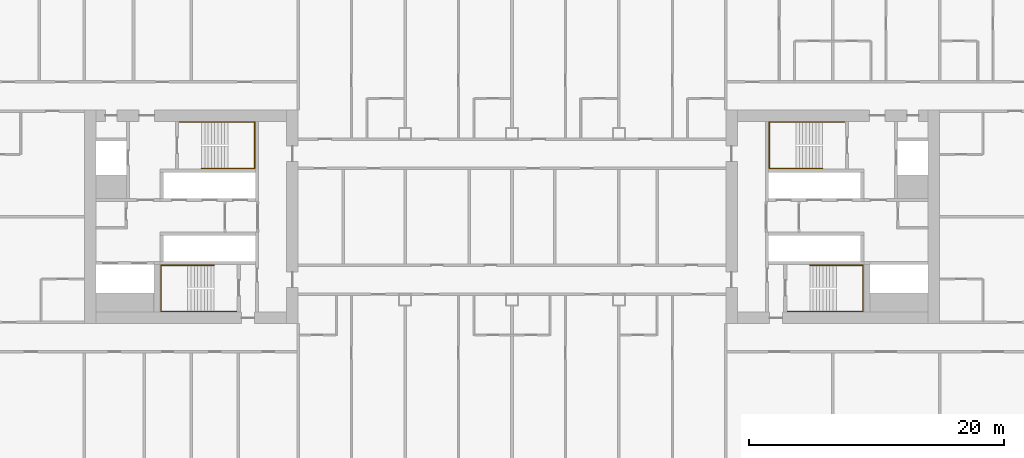
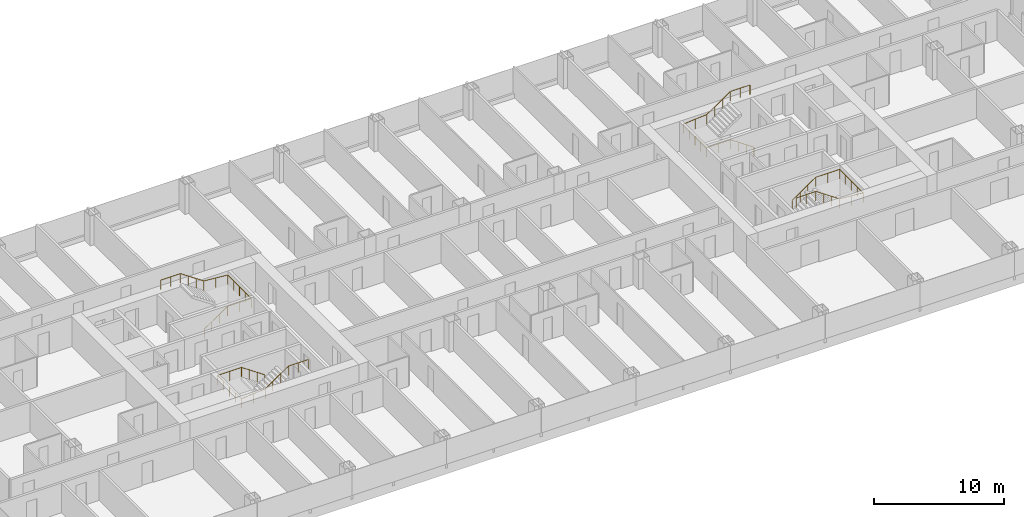
# One storey, part 28 of 28: 4 railings.
"""IFC4 building model written with IfcOpenShell, lengths in metres."""

from ifc_helpers import new_model, si_unit, direction, frame, origin, origin_2d, place, context, subcontext, project, spatial, circle, extrude, material, type_object, element, save


model = new_model("IFC4")

# Units and contexts
model_context = context("Model", 3, precision=1e-05, world=origin(), true_north=direction((0.0, 1.0)))
body_context = subcontext(model_context, "Body", "Model", "MODEL_VIEW")
ifc_project = project(units=[si_unit("LENGTHUNIT", "METRE"), si_unit("AREAUNIT", "SQUARE_METRE"), si_unit("VOLUMEUNIT", "CUBIC_METRE"), si_unit("PLANEANGLEUNIT", "RADIAN"), si_unit("MASSUNIT", "GRAM", prefix="KILO")], contexts=[model_context])

# Site, building, storey
site_placement = place(None, origin())
site = spatial("IfcSite", under=ifc_project, at=site_placement, CompositionType="ELEMENT")
building_placement = place(site_placement, origin())
building = spatial("IfcBuilding", under=site, at=building_placement, Name="Hakoniwa Tower and Hamabe Station Hall", CompositionType="ELEMENT")
storey_placement = place(building_placement, frame((0.0, 0.0, 48.60009765625)))
storey = spatial("IfcBuildingStorey", under=building, at=storey_placement, Name="L13", CompositionType="ELEMENT", Elevation=48.60009765625)

# Railings
ifc_material = material(Name="Stainless steel SUS304", Category="steel")
railing_type = type_object("IfcRailingType", Name="STAIR HANDRAIL 900", PredefinedType="HANDRAIL", material=ifc_material)
railing_1_placement = place(storey_placement, frame((-24.39990234375, 3.81005859375, 0.177734375)))
element("IfcRailing", 1, at=railing_1_placement, inside=storey, type_object=railing_type, Name="Handrail ST-1 L13 1", PredefinedType="HANDRAIL", context=body_context, shape_type="SweptSolid", body=[
    extrude(circle(Radius=0.02392578125, at=origin_2d()), frame((0.0, 0.0, 0.8759765625), z_axis=(0.825478349766, 0.0, 0.564433781827), x_axis=(0.0, 1.0, 0.0)), (0.0, 0.0, 1.0), 2.51953125),
    extrude(circle(Radius=0.02392578125, at=origin_2d()), frame((2.079833984375, 0.0, 2.2978515625), z_axis=(1.0, 0.0, 0.0), x_axis=(0.0, 1.0, 0.0)), (0.0, 0.0, 1.0), 2.110107421875),
    extrude(circle(Radius=0.02392578125, at=origin_2d()), frame((4.18994140625, 0.0, 2.2978515625), z_axis=(0.0, 1.0, 0.0), x_axis=(-1.0, 0.0, 0.0)), (0.0, 0.0, 1.0), 3.6298828125),
    extrude(circle(Radius=0.02392578125, at=origin_2d()), frame((4.18994140625, 3.6298828125, 2.2978515625), z_axis=(-0.996471417081, 0.0, 0.083932800143), x_axis=(0.0, -1.0, 0.0)), (0.0, 0.0, 1.0), 2.11767578125),
    extrude(circle(Radius=0.02392578125, at=origin_2d()), frame((2.079833984375, 3.6298828125, 2.4755859375), z_axis=(-0.825433201882, 0.0, 0.564499804456), x_axis=(0.0, -1.0, 0.0)), (0.0, 0.0, 1.0), 2.519775390625),
    extrude(circle(Radius=0.02392578125, at=origin_2d()), frame((0.0, 3.6298828125, 3.89794921875), z_axis=(-1.0, 0.0, 0.0), x_axis=(0.0, -1.0, 0.0)), (0.0, 0.0, 1.0), 1.739990234375),
    extrude(circle(Radius=0.02099609375, at=origin_2d()), origin(), (0.0, 0.0, 1.0), 0.851806640625),
    extrude(circle(Radius=0.02099609375, at=origin_2d()), frame((0.693359375, 0.0, 0.47412109375)), (0.0, 0.0, 1.0), 0.851806640625),
    extrude(circle(Radius=0.02099609375, at=origin_2d()), frame((1.386474609375, 0.0, 0.947998046875)), (0.0, 0.0, 1.0), 0.851806640625),
    extrude(circle(Radius=0.02099609375, at=origin_2d()), frame((2.079833984375, 0.0, 1.422119140625)), (0.0, 0.0, 1.0), 0.851806640625),
    extrude(circle(Radius=0.02099609375, at=origin_2d()), frame((3.134765625, 0.0, 1.422119140625)), (0.0, 0.0, 1.0), 0.851806640625),
    extrude(circle(Radius=0.02099609375, at=origin_2d()), frame((4.18994140625, 0.0, 1.422119140625)), (0.0, 0.0, 1.0), 0.851806640625),
    extrude(circle(Radius=0.02099609375, at=origin_2d()), frame((4.18994140625, 0.907470703125, 1.422119140625)), (0.0, 0.0, 1.0), 0.851806640625),
    extrude(circle(Radius=0.02099609375, at=origin_2d()), frame((4.18994140625, 1.81494140625, 1.422119140625)), (0.0, 0.0, 1.0), 0.851806640625),
    extrude(circle(Radius=0.02099609375, at=origin_2d()), frame((4.18994140625, 2.722412109375, 1.422119140625)), (0.0, 0.0, 1.0), 0.851806640625),
    extrude(circle(Radius=0.02099609375, at=origin_2d()), frame((4.18994140625, 3.6298828125, 1.422119140625)), (0.0, 0.0, 1.0), 0.851806640625),
    extrude(circle(Radius=0.02099609375, at=origin_2d()), frame((3.134765625, 3.6298828125, 1.510986328125)), (0.0, 0.0, 1.0), 0.851806640625),
    extrude(circle(Radius=0.02099609375, at=origin_2d()), frame((2.079833984375, 3.6298828125, 1.599853515625)), (0.0, 0.0, 1.0), 0.851806640625),
    extrude(circle(Radius=0.02099609375, at=origin_2d()), frame((1.386474609375, 3.6298828125, 2.073974609375)), (0.0, 0.0, 1.0), 0.851806640625),
    extrude(circle(Radius=0.02099609375, at=origin_2d()), frame((0.693359375, 3.6298828125, 2.548095703125)), (0.0, 0.0, 1.0), 0.851806640625),
    extrude(circle(Radius=0.02099609375, at=origin_2d()), frame((0.0, 3.6298828125, 3.022216796875)), (0.0, 0.0, 1.0), 0.851806640625),
    extrude(circle(Radius=0.02099609375, at=origin_2d()), frame((-0.8701171875, 3.6298828125, 3.022216796875)), (0.0, 0.0, 1.0), 0.851806640625),
    extrude(circle(Radius=0.02099609375, at=origin_2d()), frame((-1.739990234375, 3.6298828125, 3.022216796875)), (0.0, 0.0, 1.0), 0.851806640625),
])
railing_2_placement = place(storey_placement, frame((-23.39990234375, -3.81005859375, 0.177734375)))
element("IfcRailing", 2, at=railing_2_placement, inside=storey, type_object=railing_type, Name="Handrail ST-2 L13 1", PredefinedType="HANDRAIL", context=body_context, shape_type="SweptSolid", body=[
    extrude(circle(Radius=0.02392578125, at=origin_2d()), frame((0.0, 0.0, 0.8759765625), z_axis=(-0.82550921652, 0.0, 0.564388636881), x_axis=(0.0, -1.0, 0.0)), (0.0, 0.0, 1.0), 2.519775390625),
    extrude(circle(Radius=0.02392578125, at=origin_2d()), frame((-2.080078125, 0.0, 2.2978515625), z_axis=(-1.0, 0.0, 0.0), x_axis=(0.0, -1.0, 0.0)), (0.0, 0.0, 1.0), 2.110107421875),
    extrude(circle(Radius=0.02392578125, at=origin_2d()), frame((-4.190185546875, 0.0, 2.2978515625), z_axis=(0.0, -1.0, 0.0), x_axis=(1.0, 0.0, 0.0)), (0.0, 0.0, 1.0), 3.6298828125),
    extrude(circle(Radius=0.02392578125, at=origin_2d()), frame((-4.190185546875, -3.6298828125, 2.2978515625), z_axis=(0.996471417081, 0.0, 0.083932800143), x_axis=(0.0, 1.0, 0.0)), (0.0, 0.0, 1.0), 2.11767578125),
    extrude(circle(Radius=0.02392578125, at=origin_2d()), frame((-2.080078125, -3.6298828125, 2.4755859375), z_axis=(0.825464074169, 0.0, 0.564454659168), x_axis=(0.0, 1.0, 0.0)), (0.0, 0.0, 1.0), 2.519775390625),
    extrude(circle(Radius=0.02392578125, at=origin_2d()), frame((0.0, -3.6298828125, 3.89794921875), z_axis=(1.0, 0.0, 0.0), x_axis=(0.0, 1.0, 0.0)), (0.0, 0.0, 1.0), 1.739990234375),
    extrude(circle(Radius=0.02099609375, at=origin_2d()), origin(), (0.0, 0.0, 1.0), 0.851806640625),
    extrude(circle(Radius=0.02099609375, at=origin_2d()), frame((-0.693359375, 0.0, 0.47412109375)), (0.0, 0.0, 1.0), 0.851806640625),
    extrude(circle(Radius=0.02099609375, at=origin_2d()), frame((-1.38671875, 0.0, 0.947998046875)), (0.0, 0.0, 1.0), 0.851806640625),
    extrude(circle(Radius=0.02099609375, at=origin_2d()), frame((-2.080078125, 0.0, 1.422119140625)), (0.0, 0.0, 1.0), 0.851806640625),
    extrude(circle(Radius=0.02099609375, at=origin_2d()), frame((-3.13525390625, 0.0, 1.422119140625)), (0.0, 0.0, 1.0), 0.851806640625),
    extrude(circle(Radius=0.02099609375, at=origin_2d()), frame((-4.190185546875, 0.0, 1.422119140625)), (0.0, 0.0, 1.0), 0.851806640625),
    extrude(circle(Radius=0.02099609375, at=origin_2d()), frame((-4.190185546875, -0.907470703125, 1.422119140625)), (0.0, 0.0, 1.0), 0.851806640625),
    extrude(circle(Radius=0.02099609375, at=origin_2d()), frame((-4.190185546875, -1.81494140625, 1.422119140625)), (0.0, 0.0, 1.0), 0.851806640625),
    extrude(circle(Radius=0.02099609375, at=origin_2d()), frame((-4.190185546875, -2.722412109375, 1.422119140625)), (0.0, 0.0, 1.0), 0.851806640625),
    extrude(circle(Radius=0.02099609375, at=origin_2d()), frame((-4.190185546875, -3.6298828125, 1.422119140625)), (0.0, 0.0, 1.0), 0.851806640625),
    extrude(circle(Radius=0.02099609375, at=origin_2d()), frame((-3.13525390625, -3.6298828125, 1.510986328125)), (0.0, 0.0, 1.0), 0.851806640625),
    extrude(circle(Radius=0.02099609375, at=origin_2d()), frame((-2.080078125, -3.6298828125, 1.599853515625)), (0.0, 0.0, 1.0), 0.851806640625),
    extrude(circle(Radius=0.02099609375, at=origin_2d()), frame((-1.38671875, -3.6298828125, 2.073974609375)), (0.0, 0.0, 1.0), 0.851806640625),
    extrude(circle(Radius=0.02099609375, at=origin_2d()), frame((-0.693359375, -3.6298828125, 2.548095703125)), (0.0, 0.0, 1.0), 0.851806640625),
    extrude(circle(Radius=0.02099609375, at=origin_2d()), frame((0.0, -3.6298828125, 3.022216796875)), (0.0, 0.0, 1.0), 0.851806640625),
    extrude(circle(Radius=0.02099609375, at=origin_2d()), frame((0.8701171875, -3.6298828125, 3.022216796875)), (0.0, 0.0, 1.0), 0.851806640625),
    extrude(circle(Radius=0.02099609375, at=origin_2d()), frame((1.739990234375, -3.6298828125, 3.022216796875)), (0.0, 0.0, 1.0), 0.851806640625),
])
railing_3_placement = place(storey_placement, frame((24.39990234375, 3.81005859375, 0.177734375)))
element("IfcRailing", 3, at=railing_3_placement, inside=storey, type_object=railing_type, Name="Handrail ST-3 L13 1", PredefinedType="HANDRAIL", context=body_context, shape_type="SweptSolid", body=[
    extrude(circle(Radius=0.02392578125, at=origin_2d()), frame((0.0, 0.0, 0.8759765625), z_axis=(-0.825478349766, 0.0, 0.564433781827), x_axis=(0.0, -1.0, 0.0)), (0.0, 0.0, 1.0), 2.51953125),
    extrude(circle(Radius=0.02392578125, at=origin_2d()), frame((-2.079833984375, 0.0, 2.2978515625), z_axis=(-1.0, 0.0, 0.0), x_axis=(0.0, -1.0, 0.0)), (0.0, 0.0, 1.0), 2.110107421875),
    extrude(circle(Radius=0.02392578125, at=origin_2d()), frame((-4.18994140625, 0.0, 2.2978515625), z_axis=(0.0, 1.0, 0.0), x_axis=(-1.0, 0.0, 0.0)), (0.0, 0.0, 1.0), 3.6298828125),
    extrude(circle(Radius=0.02392578125, at=origin_2d()), frame((-4.18994140625, 3.6298828125, 2.2978515625), z_axis=(0.996471417081, 0.0, 0.083932800143), x_axis=(0.0, 1.0, 0.0)), (0.0, 0.0, 1.0), 2.11767578125),
    extrude(circle(Radius=0.02392578125, at=origin_2d()), frame((-2.079833984375, 3.6298828125, 2.4755859375), z_axis=(0.825433201882, 0.0, 0.564499804456), x_axis=(0.0, 1.0, 0.0)), (0.0, 0.0, 1.0), 2.519775390625),
    extrude(circle(Radius=0.02392578125, at=origin_2d()), frame((0.0, 3.6298828125, 3.89794921875), z_axis=(1.0, 0.0, 0.0), x_axis=(0.0, 1.0, 0.0)), (0.0, 0.0, 1.0), 1.739990234375),
    extrude(circle(Radius=0.02099609375, at=origin_2d()), origin(), (0.0, 0.0, 1.0), 0.851806640625),
    extrude(circle(Radius=0.02099609375, at=origin_2d()), frame((-0.693359375, 0.0, 0.47412109375)), (0.0, 0.0, 1.0), 0.851806640625),
    extrude(circle(Radius=0.02099609375, at=origin_2d()), frame((-1.386474609375, 0.0, 0.947998046875)), (0.0, 0.0, 1.0), 0.851806640625),
    extrude(circle(Radius=0.02099609375, at=origin_2d()), frame((-2.079833984375, 0.0, 1.422119140625)), (0.0, 0.0, 1.0), 0.851806640625),
    extrude(circle(Radius=0.02099609375, at=origin_2d()), frame((-3.134765625, 0.0, 1.422119140625)), (0.0, 0.0, 1.0), 0.851806640625),
    extrude(circle(Radius=0.02099609375, at=origin_2d()), frame((-4.18994140625, 0.0, 1.422119140625)), (0.0, 0.0, 1.0), 0.851806640625),
    extrude(circle(Radius=0.02099609375, at=origin_2d()), frame((-4.18994140625, 0.907470703125, 1.422119140625)), (0.0, 0.0, 1.0), 0.851806640625),
    extrude(circle(Radius=0.02099609375, at=origin_2d()), frame((-4.18994140625, 1.81494140625, 1.422119140625)), (0.0, 0.0, 1.0), 0.851806640625),
    extrude(circle(Radius=0.02099609375, at=origin_2d()), frame((-4.18994140625, 2.722412109375, 1.422119140625)), (0.0, 0.0, 1.0), 0.851806640625),
    extrude(circle(Radius=0.02099609375, at=origin_2d()), frame((-4.18994140625, 3.6298828125, 1.422119140625)), (0.0, 0.0, 1.0), 0.851806640625),
    extrude(circle(Radius=0.02099609375, at=origin_2d()), frame((-3.134765625, 3.6298828125, 1.510986328125)), (0.0, 0.0, 1.0), 0.851806640625),
    extrude(circle(Radius=0.02099609375, at=origin_2d()), frame((-2.079833984375, 3.6298828125, 1.599853515625)), (0.0, 0.0, 1.0), 0.851806640625),
    extrude(circle(Radius=0.02099609375, at=origin_2d()), frame((-1.386474609375, 3.6298828125, 2.073974609375)), (0.0, 0.0, 1.0), 0.851806640625),
    extrude(circle(Radius=0.02099609375, at=origin_2d()), frame((-0.693359375, 3.6298828125, 2.548095703125)), (0.0, 0.0, 1.0), 0.851806640625),
    extrude(circle(Radius=0.02099609375, at=origin_2d()), frame((0.0, 3.6298828125, 3.022216796875)), (0.0, 0.0, 1.0), 0.851806640625),
    extrude(circle(Radius=0.02099609375, at=origin_2d()), frame((0.8701171875, 3.6298828125, 3.022216796875)), (0.0, 0.0, 1.0), 0.851806640625),
    extrude(circle(Radius=0.02099609375, at=origin_2d()), frame((1.739990234375, 3.6298828125, 3.022216796875)), (0.0, 0.0, 1.0), 0.851806640625),
])
railing_4_placement = place(storey_placement, frame((23.39990234375, -3.81005859375, 0.177734375)))
element("IfcRailing", 4, at=railing_4_placement, inside=storey, type_object=railing_type, Name="Handrail ST-4 L13 1", PredefinedType="HANDRAIL", context=body_context, shape_type="SweptSolid", body=[
    extrude(circle(Radius=0.02392578125, at=origin_2d()), frame((0.0, 0.0, 0.8759765625), z_axis=(0.82550921652, 0.0, 0.564388636881), x_axis=(0.0, 1.0, 0.0)), (0.0, 0.0, 1.0), 2.519775390625),
    extrude(circle(Radius=0.02392578125, at=origin_2d()), frame((2.080078125, 0.0, 2.2978515625), z_axis=(1.0, 0.0, 0.0), x_axis=(0.0, 1.0, 0.0)), (0.0, 0.0, 1.0), 2.110107421875),
    extrude(circle(Radius=0.02392578125, at=origin_2d()), frame((4.190185546875, 0.0, 2.2978515625), z_axis=(0.0, -1.0, 0.0), x_axis=(1.0, 0.0, 0.0)), (0.0, 0.0, 1.0), 3.6298828125),
    extrude(circle(Radius=0.02392578125, at=origin_2d()), frame((4.190185546875, -3.6298828125, 2.2978515625), z_axis=(-0.996471417081, 0.0, 0.083932800143), x_axis=(0.0, -1.0, 0.0)), (0.0, 0.0, 1.0), 2.11767578125),
    extrude(circle(Radius=0.02392578125, at=origin_2d()), frame((2.080078125, -3.6298828125, 2.4755859375), z_axis=(-0.825464074169, 0.0, 0.564454659168), x_axis=(0.0, -1.0, 0.0)), (0.0, 0.0, 1.0), 2.519775390625),
    extrude(circle(Radius=0.02392578125, at=origin_2d()), frame((0.0, -3.6298828125, 3.89794921875), z_axis=(-1.0, 0.0, 0.0), x_axis=(0.0, -1.0, 0.0)), (0.0, 0.0, 1.0), 1.739990234375),
    extrude(circle(Radius=0.02099609375, at=origin_2d()), origin(), (0.0, 0.0, 1.0), 0.851806640625),
    extrude(circle(Radius=0.02099609375, at=origin_2d()), frame((0.693359375, 0.0, 0.47412109375)), (0.0, 0.0, 1.0), 0.851806640625),
    extrude(circle(Radius=0.02099609375, at=origin_2d()), frame((1.38671875, 0.0, 0.947998046875)), (0.0, 0.0, 1.0), 0.851806640625),
    extrude(circle(Radius=0.02099609375, at=origin_2d()), frame((2.080078125, 0.0, 1.422119140625)), (0.0, 0.0, 1.0), 0.851806640625),
    extrude(circle(Radius=0.02099609375, at=origin_2d()), frame((3.13525390625, 0.0, 1.422119140625)), (0.0, 0.0, 1.0), 0.851806640625),
    extrude(circle(Radius=0.02099609375, at=origin_2d()), frame((4.190185546875, 0.0, 1.422119140625)), (0.0, 0.0, 1.0), 0.851806640625),
    extrude(circle(Radius=0.02099609375, at=origin_2d()), frame((4.190185546875, -0.907470703125, 1.422119140625)), (0.0, 0.0, 1.0), 0.851806640625),
    extrude(circle(Radius=0.02099609375, at=origin_2d()), frame((4.190185546875, -1.81494140625, 1.422119140625)), (0.0, 0.0, 1.0), 0.851806640625),
    extrude(circle(Radius=0.02099609375, at=origin_2d()), frame((4.190185546875, -2.722412109375, 1.422119140625)), (0.0, 0.0, 1.0), 0.851806640625),
    extrude(circle(Radius=0.02099609375, at=origin_2d()), frame((4.190185546875, -3.6298828125, 1.422119140625)), (0.0, 0.0, 1.0), 0.851806640625),
    extrude(circle(Radius=0.02099609375, at=origin_2d()), frame((3.13525390625, -3.6298828125, 1.510986328125)), (0.0, 0.0, 1.0), 0.851806640625),
    extrude(circle(Radius=0.02099609375, at=origin_2d()), frame((2.080078125, -3.6298828125, 1.599853515625)), (0.0, 0.0, 1.0), 0.851806640625),
    extrude(circle(Radius=0.02099609375, at=origin_2d()), frame((1.38671875, -3.6298828125, 2.073974609375)), (0.0, 0.0, 1.0), 0.851806640625),
    extrude(circle(Radius=0.02099609375, at=origin_2d()), frame((0.693359375, -3.6298828125, 2.548095703125)), (0.0, 0.0, 1.0), 0.851806640625),
    extrude(circle(Radius=0.02099609375, at=origin_2d()), frame((0.0, -3.6298828125, 3.022216796875)), (0.0, 0.0, 1.0), 0.851806640625),
    extrude(circle(Radius=0.02099609375, at=origin_2d()), frame((-0.8701171875, -3.6298828125, 3.022216796875)), (0.0, 0.0, 1.0), 0.851806640625),
    extrude(circle(Radius=0.02099609375, at=origin_2d()), frame((-1.739990234375, -3.6298828125, 3.022216796875)), (0.0, 0.0, 1.0), 0.851806640625),
])

save(model, "model.ifc")
